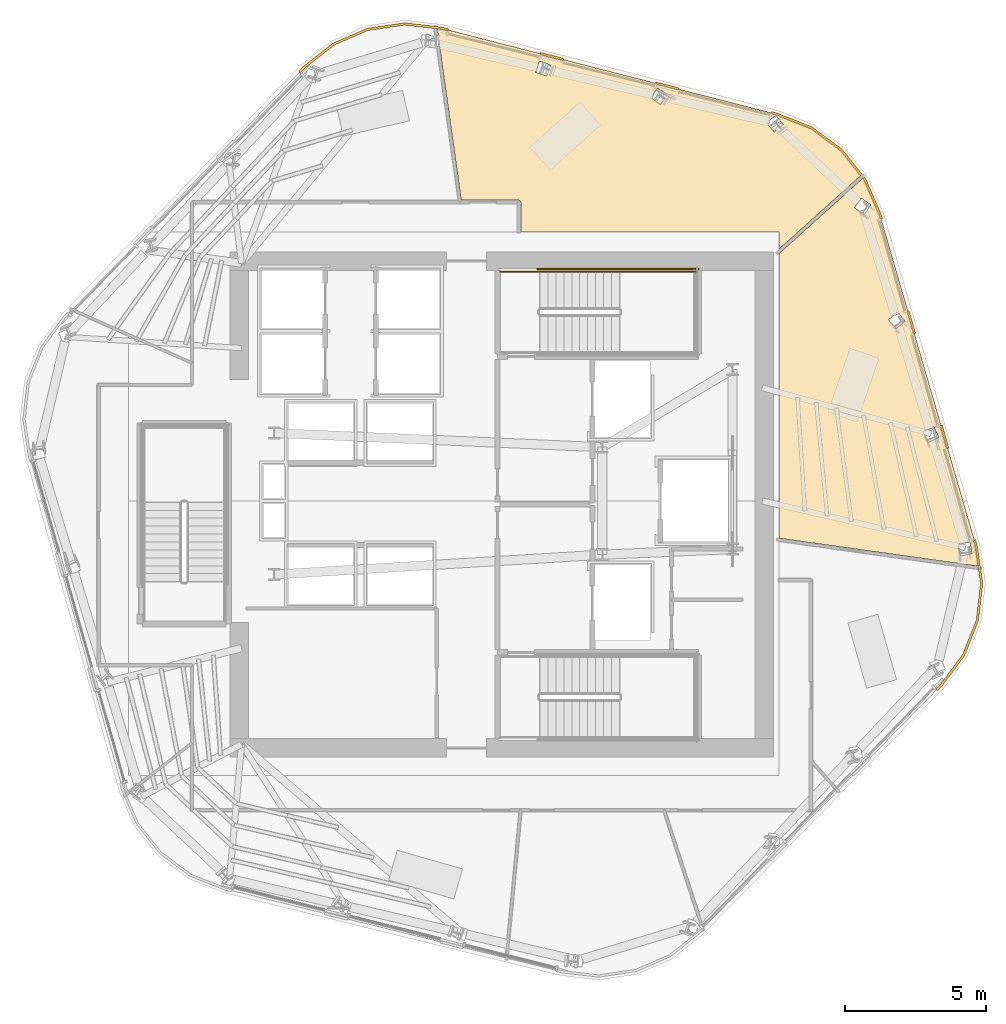
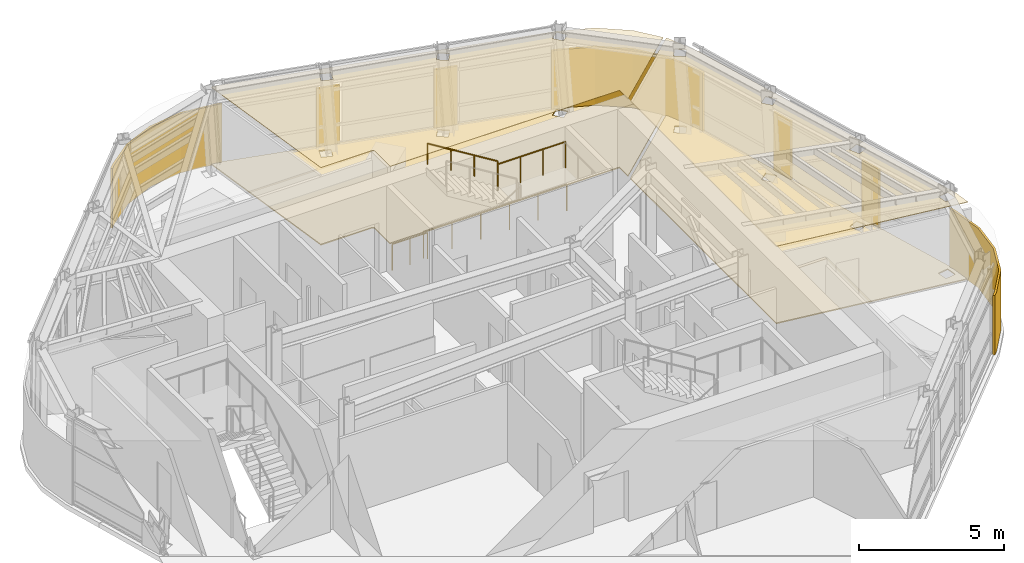
# One storey, part 12 of 13: 11 coverings, 4 railings.
"""IFC4 building model written with IfcOpenShell, lengths in metres."""

from ifc_helpers import new_model, si_unit, direction, frame, origin, origin_2d, place, context, subcontext, project, spatial, polyline, circle, outline, extrude, material, layer, layer_set, type_object, element, save


model = new_model("IFC4")

# Units and contexts
model_context = context("Model", 3, precision=1e-05, world=origin(), true_north=direction((0.0, 1.0)))
body_context = subcontext(model_context, "Body", "Model", "MODEL_VIEW")
ifc_project = project(units=[si_unit("LENGTHUNIT", "METRE"), si_unit("AREAUNIT", "SQUARE_METRE"), si_unit("VOLUMEUNIT", "CUBIC_METRE"), si_unit("PLANEANGLEUNIT", "RADIAN"), si_unit("MASSUNIT", "GRAM", prefix="KILO")], contexts=[model_context])

# Site, building, storey
site_placement = place(None, origin())
site = spatial("IfcSite", under=ifc_project, at=site_placement, CompositionType="ELEMENT")
building_placement = place(site_placement, origin())
building = spatial("IfcBuilding", under=site, at=building_placement, Name="Valkerne Bourse Tower", CompositionType="ELEMENT")
storey_placement = place(building_placement, frame((0.0, 0.0, 220.800048828125)))
storey = spatial("IfcBuildingStorey", under=building, at=storey_placement, Name="L56", CompositionType="ELEMENT", Elevation=220.800048828125)

# Coverings
ifc_material_1 = material(Name="Mineral Fiber Acoustic Ceiling Tile", Category="acoustic")
ifc_layer_1 = layer(ifc_material_1, 0.02490234375)
ifc_layer_set_1 = layer_set([ifc_layer_1], Name="Mineral Fiber Acoustic Ceiling Tile")
covering_type_1 = type_object("IfcCoveringType", Name="COV-CEIL-ACT", PredefinedType="CEILING", material=ifc_layer_set_1)
covering_1_placement = place(storey_placement, frame((0.0, 0.0, 3.25)))
element("IfcCovering", 1, at=covering_1_placement, inside=storey, type_object=covering_type_1, Name="L56 Suspended Ceiling 10", PredefinedType="CEILING", context=body_context, shape_type="SweptSolid", body=[
    extrude(outline(polyline([(57.745361328125, 40.1748046875), (58.8046875, 39.387939453125), (59.498291015625, 38.512939453125), (56.60009765625, 35.9033203125), (56.60009765625, 36.5), (47.468994140625, 36.5), (47.468994140625, 37.563232421875), (47.458984375, 37.595947265625), (47.43505859375, 37.61962890625), (47.400390625, 37.62890625), (45.36572265625, 37.62890625), (44.510009765625, 43.71728515625), (44.68017578125, 43.69775390625), (56.50927734375, 40.6640625), (57.745361328125, 40.1748046875)]), holes=[polyline([(56.478271484375, 40.623291015625), (56.476318359375, 40.62451171875), (56.15966796875, 40.361572265625), (56.42333984375, 40.043212890625), (56.42529296875, 40.041748046875), (56.7421875, 40.3046875), (56.478271484375, 40.623291015625)]), polyline([(52.305419921875, 41.591552734375), (52.30322265625, 41.59228515625), (52.0634765625, 41.257568359375), (52.3994140625, 41.016357421875), (52.401611328125, 41.015380859375), (52.641357421875, 41.350341796875), (52.305419921875, 41.591552734375)]), polyline([(48.519287109375, 42.39794921875), (48.13037109375, 42.538818359375), (48.128173828125, 42.538818359375), (47.98828125, 42.151611328125), (48.377197265625, 42.0107421875), (48.37939453125, 42.010498046875), (48.519287109375, 42.39794921875)])]), origin(), (0.0, 0.0, 1.0), 0.02490234375),
])
covering_2_placement = place(storey_placement, frame((0.0, 0.0, 3.25)))
element("IfcCovering", 2, at=covering_2_placement, inside=storey, type_object=covering_type_1, Name="L56 Suspended Ceiling 11", PredefinedType="CEILING", context=body_context, shape_type="SweptSolid", body=[
    extrude(outline(polyline([(59.57177734375, 38.42041015625), (59.62451171875, 38.353759765625), (60.15234375, 37.133544921875), (63.55615234375, 25.40576171875), (63.661865234375, 24.689697265625), (56.60009765625, 25.682373046875), (56.60009765625, 35.74462890625), (59.57177734375, 38.42041015625)]), holes=[polyline([(63.410888671875, 25.1396484375), (63.411376953125, 25.141845703125), (63.342041015625, 25.547119140625), (62.93359375, 25.477783203125), (62.933349609375, 25.475341796875), (63.00244140625, 25.0703125), (63.410888671875, 25.1396484375)]), polyline([(62.2373046875, 29.24267578125), (62.0673828125, 29.6171875), (61.68994140625, 29.446533203125), (61.690185546875, 29.4443359375), (61.860107421875, 29.06982421875), (62.237548828125, 29.240478515625), (62.2373046875, 29.24267578125)]), polyline([(61.0458984375, 33.355712890625), (60.780517578125, 33.669921875), (60.463623046875, 33.40283203125), (60.464599609375, 33.40087890625), (60.729736328125, 33.086669921875), (61.046630859375, 33.353515625), (61.0458984375, 33.355712890625)]), polyline([(59.83349609375, 37.465087890625), (59.497314453125, 37.70166015625), (59.25830078125, 37.36328125), (59.260009765625, 37.361328125), (59.595947265625, 37.124755859375), (59.8349609375, 37.463134765625), (59.83349609375, 37.465087890625)])]), origin(), (0.0, 0.0, 1.0), 0.02490234375),
])
ifc_material_2 = material(Name="Bronze Anodised Aluminium AA 6063-T6", Category="aluminium")
ifc_layer_2 = layer(ifc_material_2, 0.06005859375)
ifc_layer_set_2 = layer_set([ifc_layer_2], Name="Bronze Anodised Aluminium AA 6063-T6")
covering_type_2 = type_object("IfcCoveringType", Name="COV-CRN-ALUM", PredefinedType="CLADDING", material=ifc_layer_set_2)
covering_3_placement = place(storey_placement, origin())
element("IfcCovering", 3, at=covering_3_placement, inside=storey, type_object=covering_type_2, Name="L56 Wind-Shaped Corner Aluminium Cladding 01", PredefinedType="CLADDING", context=body_context, shape_type="SweptSolid", body=[
    extrude(outline(polyline([(63.79443359375, 24.092041015625), (63.6416015625, 22.769775390625), (63.151611328125, 21.531982421875), (62.35400390625, 20.458251953125), (62.1943359375, 20.294921875), (62.13671875, 20.3505859375), (62.293212890625, 20.51025390625), (63.0810546875, 21.5712890625), (63.563232421875, 22.789306640625), (63.7138671875, 24.0908203125), (63.520751953125, 25.398193359375), (63.45849609375, 25.61279296875), (63.535400390625, 25.634765625), (63.59912109375, 25.415283203125), (63.79443359375, 24.092041015625)])), origin(), (0.0, 0.0, 1.0), 2.5),
])
covering_4_placement = place(storey_placement, origin())
element("IfcCovering", 4, at=covering_4_placement, inside=storey, type_object=covering_type_2, Name="L56 Wind-Shaped Corner Aluminium Cladding 13", PredefinedType="CLADDING", context=body_context, shape_type="SweptSolid", body=[
    extrude(outline(polyline([(39.77294921875, 42.3408203125), (40.821044921875, 43.171630859375), (42.042724609375, 43.7001953125), (43.359619140625, 43.894775390625), (44.688232421875, 43.740966796875), (44.90966796875, 43.684326171875), (44.89013671875, 43.606689453125), (44.673583984375, 43.662109375), (43.361083984375, 43.814208984375), (42.064697265625, 43.622802734375), (40.862548828125, 43.102294921875), (39.826904296875, 42.281494140625), (39.67236328125, 42.120361328125), (39.61474609375, 42.176025390625), (39.77294921875, 42.3408203125)])), origin(), (0.0, 0.0, 1.0), 2.5),
])
covering_5_placement = place(storey_placement, origin())
element("IfcCovering", 5, at=covering_5_placement, inside=storey, type_object=covering_type_2, Name="L56 Wind-Shaped Corner Aluminium Cladding 14", PredefinedType="CLADDING", context=body_context, shape_type="SweptSolid", body=[
    extrude(outline(polyline([(48.989501953125, 42.637939453125), (48.97021484375, 42.560302734375), (48.156494140625, 42.76904296875), (48.17578125, 42.8466796875), (48.989501953125, 42.637939453125)])), origin(), (0.0, 0.0, 1.0), 2.5),
])
covering_6_placement = place(storey_placement, origin())
element("IfcCovering", 6, at=covering_6_placement, inside=storey, type_object=covering_type_2, Name="L56 Wind-Shaped Corner Aluminium Cladding 15", PredefinedType="CLADDING", context=body_context, shape_type="SweptSolid", body=[
    extrude(outline(polyline([(53.069580078125, 41.591552734375), (53.05029296875, 41.513916015625), (52.236572265625, 41.72265625), (52.256103515625, 41.80029296875), (53.069580078125, 41.591552734375)])), origin(), (0.0, 0.0, 1.0), 2.5),
])
covering_7_placement = place(storey_placement, origin())
element("IfcCovering", 7, at=covering_7_placement, inside=storey, type_object=covering_type_2, Name="L56 Wind-Shaped Corner Aluminium Cladding 16", PredefinedType="CLADDING", context=body_context, shape_type="SweptSolid", body=[
    extrude(outline(polyline([(56.52294921875, 40.7060546875), (57.766845703125, 40.21337890625), (58.835693359375, 39.419921875), (59.66259765625, 38.376708984375), (60.19384765625, 37.148681640625), (60.24755859375, 36.963134765625), (60.170654296875, 36.94140625), (60.118408203125, 37.121337890625), (59.59326171875, 38.335205078125), (58.779541015625, 39.36181640625), (57.727783203125, 40.14306640625), (56.498046875, 40.6298828125), (56.31640625, 40.67626953125), (56.3359375, 40.75390625), (56.52294921875, 40.7060546875)])), origin(), (0.0, 0.0, 1.0), 2.5),
])
covering_8_placement = place(storey_placement, origin())
element("IfcCovering", 8, at=covering_8_placement, inside=storey, type_object=covering_type_2, Name="L56 Wind-Shaped Corner Aluminium Cladding 17", PredefinedType="CLADDING", context=body_context, shape_type="SweptSolid", body=[
    extrude(outline(polyline([(61.421630859375, 32.918212890625), (61.3447265625, 32.896240234375), (61.110595703125, 33.702880859375), (61.1875, 33.724853515625), (61.421630859375, 32.918212890625)])), origin(), (0.0, 0.0, 1.0), 2.5),
])
covering_9_placement = place(storey_placement, origin())
element("IfcCovering", 9, at=covering_9_placement, inside=storey, type_object=covering_type_2, Name="L56 Wind-Shaped Corner Aluminium Cladding 18", PredefinedType="CLADDING", context=body_context, shape_type="SweptSolid", body=[
    extrude(outline(polyline([(62.595703125, 28.873046875), (62.518798828125, 28.85107421875), (62.284423828125, 29.65771484375), (62.361572265625, 29.6796875), (62.595703125, 28.873046875)])), origin(), (0.0, 0.0, 1.0), 2.5),
])
ifc_material_3 = material(Name="Galvanised Painted Steel", Category="steel")
ifc_layer_3 = layer(ifc_material_3, 0.044921875)
ifc_layer_set_3 = layer_set([ifc_layer_3], Name="Galvanised Painted Steel")
covering_type_3 = type_object("IfcCoveringType", Name="COV-FLR-RAF", PredefinedType="FLOORING", material=ifc_layer_set_3)
covering_10_placement = place(storey_placement, origin())
element("IfcCovering", 10, at=covering_10_placement, inside=storey, type_object=covering_type_3, Name="L56 Floor Finish 10", PredefinedType="FLOORING", context=body_context, shape_type="SweptSolid", body=[
    extrude(outline(polyline([(57.745361328125, 40.1748046875), (58.8046875, 39.387939453125), (59.498291015625, 38.512939453125), (56.60009765625, 35.9033203125), (56.60009765625, 36.5), (47.468994140625, 36.5), (47.468994140625, 37.563232421875), (47.458984375, 37.595947265625), (47.43505859375, 37.61962890625), (47.400390625, 37.62890625), (45.36572265625, 37.62890625), (44.510009765625, 43.71728515625), (44.68017578125, 43.69775390625), (56.50927734375, 40.6640625), (57.745361328125, 40.1748046875)]), holes=[polyline([(56.478271484375, 40.623291015625), (56.476318359375, 40.62451171875), (56.15966796875, 40.361572265625), (56.42333984375, 40.043212890625), (56.42529296875, 40.041748046875), (56.7421875, 40.3046875), (56.478271484375, 40.623291015625)]), polyline([(52.305419921875, 41.591552734375), (52.30322265625, 41.59228515625), (52.0634765625, 41.257568359375), (52.3994140625, 41.016357421875), (52.401611328125, 41.015380859375), (52.641357421875, 41.350341796875), (52.305419921875, 41.591552734375)]), polyline([(48.519287109375, 42.39794921875), (48.13037109375, 42.538818359375), (48.128173828125, 42.538818359375), (47.98828125, 42.151611328125), (48.377197265625, 42.0107421875), (48.37939453125, 42.010498046875), (48.519287109375, 42.39794921875)])]), origin(), (0.0, 0.0, 1.0), 0.044921875),
])
covering_11_placement = place(storey_placement, origin())
element("IfcCovering", 11, at=covering_11_placement, inside=storey, type_object=covering_type_3, Name="L56 Floor Finish 11", PredefinedType="FLOORING", context=body_context, shape_type="SweptSolid", body=[
    extrude(outline(polyline([(59.57177734375, 38.42041015625), (59.62451171875, 38.353759765625), (60.15234375, 37.133544921875), (63.55615234375, 25.40576171875), (63.661865234375, 24.689697265625), (56.60009765625, 25.682373046875), (56.60009765625, 35.74462890625), (59.57177734375, 38.42041015625)]), holes=[polyline([(63.410888671875, 25.1396484375), (63.411376953125, 25.141845703125), (63.342041015625, 25.547119140625), (62.93359375, 25.477783203125), (62.933349609375, 25.475341796875), (63.00244140625, 25.0703125), (63.410888671875, 25.1396484375)]), polyline([(62.2373046875, 29.24267578125), (62.0673828125, 29.6171875), (61.68994140625, 29.446533203125), (61.690185546875, 29.4443359375), (61.860107421875, 29.06982421875), (62.237548828125, 29.240478515625), (62.2373046875, 29.24267578125)]), polyline([(61.0458984375, 33.355712890625), (60.780517578125, 33.669921875), (60.463623046875, 33.40283203125), (60.464599609375, 33.40087890625), (60.729736328125, 33.086669921875), (61.046630859375, 33.353515625), (61.0458984375, 33.355712890625)]), polyline([(59.83349609375, 37.465087890625), (59.497314453125, 37.70166015625), (59.25830078125, 37.36328125), (59.260009765625, 37.361328125), (59.595947265625, 37.124755859375), (59.8349609375, 37.463134765625), (59.83349609375, 37.465087890625)])]), origin(), (0.0, 0.0, 1.0), 0.044921875),
])

# Railings
railing_type_1 = type_object("IfcRailingType", Name="RLG-ST-GUARD-1120", PredefinedType="GUARDRAIL", material=ifc_material_3)
railing_1_placement = place(storey_placement, frame((50.949951171875, 35.10009765625, 1.89990234375)))
element("IfcRailing", 12, at=railing_1_placement, inside=storey, type_object=railing_type_1, Name="L56 ST-2 stair guard 4", PredefinedType="GUARDRAIL", context=body_context, shape_type="SweptSolid", body=[
    extrude(circle(Radius=0.02392578125, at=origin_2d()), frame((0.0, 0.0, 1.09619140625), z_axis=(1.0, 0.0, 0.0), x_axis=(0.0, 1.0, 0.0)), (0.0, 0.0, 1.0), 2.699951171875),
    extrude(circle(Radius=0.02099609375, at=origin_2d()), origin(), (0.0, 0.0, 1.0), 1.072021484375),
    extrude(circle(Radius=0.02099609375, at=origin_2d()), frame((0.89990234375, 0.0, 0.0)), (0.0, 0.0, 1.0), 1.072021484375),
    extrude(circle(Radius=0.02099609375, at=origin_2d()), frame((1.800048828125, 0.0, 0.0)), (0.0, 0.0, 1.0), 1.072021484375),
    extrude(circle(Radius=0.02099609375, at=origin_2d()), frame((2.699951171875, 0.0, 0.0)), (0.0, 0.0, 1.0), 1.072021484375),
])
railing_2_placement = place(storey_placement, frame((46.75, 35.10009765625, 0.0)))
element("IfcRailing", 13, at=railing_2_placement, inside=storey, type_object=railing_type_1, Name="L56 ST-2 stair guard 9", PredefinedType="GUARDRAIL", context=body_context, shape_type="SweptSolid", body=[
    extrude(circle(Radius=0.02392578125, at=origin_2d()), frame((0.0, 0.0, 1.09619140625), z_axis=(1.0, 0.0, 0.0), x_axis=(0.0, 1.0, 0.0)), (0.0, 0.0, 1.0), 1.39990234375),
    extrude(circle(Radius=0.02099609375, at=origin_2d()), origin(), (0.0, 0.0, 1.0), 1.072021484375),
    extrude(circle(Radius=0.02099609375, at=origin_2d()), frame((0.699951171875, 0.0, 0.0)), (0.0, 0.0, 1.0), 1.072021484375),
    extrude(circle(Radius=0.02099609375, at=origin_2d()), frame((1.39990234375, 0.0, 0.0)), (0.0, 0.0, 1.0), 1.072021484375),
])
railing_3_placement = place(storey_placement, frame((48.050048828125, 35.199951171875, 0.0)))
element("IfcRailing", 14, at=railing_3_placement, inside=storey, type_object=railing_type_1, Name="L56 ST-2 stair guard 11", PredefinedType="GUARDRAIL", context=body_context, shape_type="SweptSolid", body=[
    extrude(circle(Radius=0.02392578125, at=origin_2d()), frame((0.0, 0.0, 1.09619140625), z_axis=(1.0, 0.0, 0.0), x_axis=(0.0, 1.0, 0.0)), (0.0, 0.0, 1.0), 5.699951171875),
    extrude(circle(Radius=0.02099609375, at=origin_2d()), origin(), (0.0, 0.0, 1.0), 1.072021484375),
    extrude(circle(Radius=0.02099609375, at=origin_2d()), frame((1.139892578125, 0.0, 0.0)), (0.0, 0.0, 1.0), 1.072021484375),
    extrude(circle(Radius=0.02099609375, at=origin_2d()), frame((2.280029296875, 0.0, 0.0)), (0.0, 0.0, 1.0), 1.072021484375),
    extrude(circle(Radius=0.02099609375, at=origin_2d()), frame((3.419921875, 0.0, 0.0)), (0.0, 0.0, 1.0), 1.072021484375),
    extrude(circle(Radius=0.02099609375, at=origin_2d()), frame((4.56005859375, 0.0, 0.0)), (0.0, 0.0, 1.0), 1.072021484375),
    extrude(circle(Radius=0.02099609375, at=origin_2d()), frame((5.699951171875, 0.0, 0.0)), (0.0, 0.0, 1.0), 1.072021484375),
])
ifc_material_4 = material(Name="Stainless Steel AISI 316", Category="steel")
railing_type_2 = type_object("IfcRailingType", Name="RLG-ST-HANDRAIL-900", PredefinedType="HANDRAIL", material=ifc_material_4)
railing_4_placement = place(storey_placement, frame((50.949951171875, 35.10009765625, 2.245361328125)))
element("IfcRailing", 15, at=railing_4_placement, inside=storey, type_object=railing_type_2, Name="L56 ST-2 stair handrail 2", PredefinedType="HANDRAIL", context=body_context, shape_type="SweptSolid", body=[
    extrude(circle(Radius=0.02392578125, at=origin_2d()), frame((0.0, 0.0, 0.8759765625), z_axis=(-0.851089632645, 0.0, 0.525020415988), x_axis=(0.0, -1.0, 0.0)), (0.0, 0.0, 1.0), 3.2900390625),
    extrude(circle(Radius=0.02099609375, at=origin_2d()), origin(), (0.0, 0.0, 1.0), 0.851806640625),
    extrude(circle(Radius=0.02099609375, at=origin_2d()), frame((-0.933349609375, 0.0, 0.57568359375)), (0.0, 0.0, 1.0), 0.851806640625),
    extrude(circle(Radius=0.02099609375, at=origin_2d()), frame((-1.86669921875, 0.0, 1.151611328125)), (0.0, 0.0, 1.0), 0.851806640625),
    extrude(circle(Radius=0.02099609375, at=origin_2d()), frame((-2.800048828125, 0.0, 1.727294921875)), (0.0, 0.0, 1.0), 0.851806640625),
])

save(model, "model.ifc")
